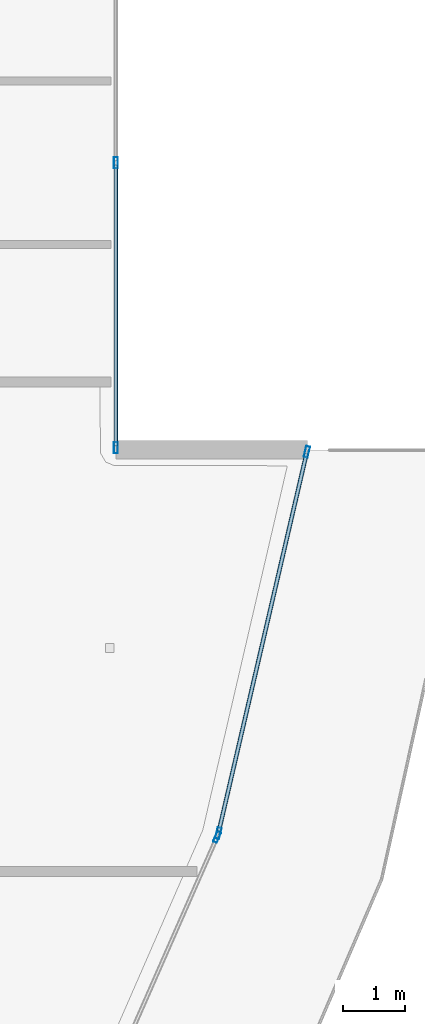
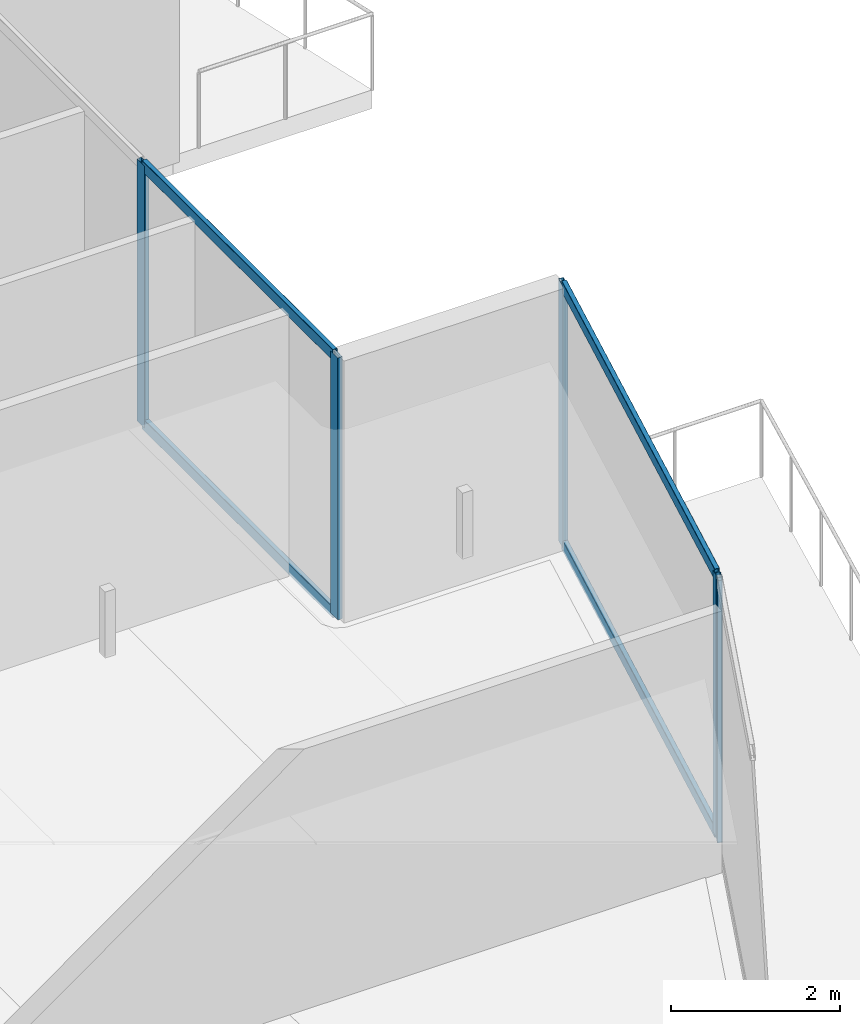
# One storey, part 12 of 37: 9 members, 3 elements without a shape of their own.
"""IFC4 building model written with IfcOpenShell, lengths in metres."""

from ifc_helpers import new_model, si_unit, direction, frame, origin, origin_2d, place, context, subcontext, project, spatial, hollow_rectangle, extrude, material, layer, layer_set, material_profile, profile_set, type_object, element, aggregate, save


model = new_model("IFC4")

# Units and contexts
model_context = context("Model", 3, precision=1e-05, world=origin(), true_north=direction((0.0, 1.0)))
body_context = subcontext(model_context, "Body", "Model", "MODEL_VIEW")
ifc_project = project(units=[si_unit("LENGTHUNIT", "METRE"), si_unit("AREAUNIT", "SQUARE_METRE"), si_unit("VOLUMEUNIT", "CUBIC_METRE"), si_unit("PLANEANGLEUNIT", "RADIAN"), si_unit("MASSUNIT", "GRAM", prefix="KILO")], contexts=[model_context])

# Site, building, storey
site_placement = place(None, origin())
site = spatial("IfcSite", under=ifc_project, at=site_placement, CompositionType="ELEMENT")
building_placement = place(site_placement, origin())
building = spatial("IfcBuilding", under=site, at=building_placement, Name="Qorvath Tower", CompositionType="ELEMENT")
storey_placement = place(building_placement, frame((0.0, 0.0, 184.800048828125)))
storey = spatial("IfcBuildingStorey", under=building, at=storey_placement, Name="L42", CompositionType="ELEMENT", Elevation=184.800048828125)

# Curtain wall, member
ifc_material_1 = material(Name="Anodised aluminium and triple low-E glass", Category="aluminium")
ifc_layer = layer(ifc_material_1, 0.179931640625)
ifc_layer_set = layer_set([ifc_layer], Name="CW-SYS-3")
curtain_wall_type = type_object("IfcCurtainWallType", Name="CW-SYS-3", PredefinedType="NOTDEFINED", material=ifc_layer_set)
curtain_wall_1_placement = place(storey_placement, origin())
curtain_wall_1 = element("IfcCurtainWall", 1, at=curtain_wall_1_placement, inside=storey, type_object=curtain_wall_type, Name="Curtain Wall CW-3 CW-T-L42-6.1", PredefinedType="NOTDEFINED")
ifc_material_2 = material(Name="Anodised aluminium 6063-T6", Category="aluminium")
ifc_material_profile_1 = material_profile(ifc_material_2, hollow_rectangle(XDim=0.06494140625, YDim=0.179931640625, WallThickness=0.00341796875, InnerFilletRadius=0.00341796875, OuterFilletRadius=0.007080078125, at=origin_2d()), Name="CWM 180x65")
ifc_profile_set_1 = profile_set([ifc_material_profile_1], Name="Anodised aluminium 6063-T6")
member_type_1 = type_object("IfcMemberType", Name="CWM-180", PredefinedType="MULLION", material=ifc_profile_set_1)
member_1_placement = place(storey_placement, frame((0.78271484375, -10.8056640625, 0.0), z_axis=(0.0, 0.0, 1.0), x_axis=(-0.915549117046, 0.402206183786, 0.0)))
member_1 = element("IfcMember", 2, at=member_1_placement, type_object=member_type_1, Name="CW-3 mullion 2", PredefinedType="MULLION", context=body_context, shape_type="SweptSolid", body=[
    extrude(hollow_rectangle(XDim=0.06494140625, YDim=0.179931640625, WallThickness=0.00341796875, InnerFilletRadius=0.00341796875, OuterFilletRadius=0.007080078125, at=origin_2d()), origin(), (0.0, 0.0, 1.0), 3.780029296875),
])
aggregate(curtain_wall_1, [member_1])

# Curtain wall, members
curtain_wall_2_placement = place(storey_placement, origin())
curtain_wall_2 = element("IfcCurtainWall", 3, at=curtain_wall_2_placement, inside=storey, type_object=curtain_wall_type, Name="Curtain Wall CW-3 CW-T-L42-7.1", PredefinedType="NOTDEFINED")
member_2_placement = place(storey_placement, frame((0.80322265625, -10.744140625, 0.0), z_axis=(0.0, 0.0, 1.0), x_axis=(-0.974111283532, 0.226069032147, 0.0)))
member_2 = element("IfcMember", 4, at=member_2_placement, type_object=member_type_1, Name="CW-3 mullion 1", PredefinedType="MULLION", context=body_context, shape_type="SweptSolid", body=[
    extrude(hollow_rectangle(XDim=0.06494140625, YDim=0.179931640625, WallThickness=0.00341796875, InnerFilletRadius=0.00341796875, OuterFilletRadius=0.007080078125, at=origin_2d()), origin(), (0.0, 0.0, 1.0), 3.780029296875),
])
member_3_placement = place(storey_placement, frame((2.2216796875, -4.632568359375, 0.0), z_axis=(0.0, 0.0, 1.0), x_axis=(-0.974111283532, 0.226069032147, 0.0)))
member_3 = element("IfcMember", 5, at=member_3_placement, type_object=member_type_1, Name="CW-3 mullion 2", PredefinedType="MULLION", context=body_context, shape_type="SweptSolid", body=[
    extrude(hollow_rectangle(XDim=0.06494140625, YDim=0.179931640625, WallThickness=0.00341796875, InnerFilletRadius=0.00341796875, OuterFilletRadius=0.007080078125, at=origin_2d()), origin(), (0.0, 0.0, 1.0), 3.780029296875),
])

curtain_wall_3_placement = place(storey_placement, origin())
curtain_wall_3 = element("IfcCurtainWall", 6, at=curtain_wall_3_placement, inside=storey, type_object=curtain_wall_type, Name="Curtain Wall CW-3 CW-T-L42-9.1", PredefinedType="NOTDEFINED")
member_4_placement = place(storey_placement, frame((-0.83837890625, -4.568359375, 0.0), z_axis=(0.0, 0.0, 1.0), x_axis=(-1.0, 0.0, 0.0)))
member_4 = element("IfcMember", 7, at=member_4_placement, type_object=member_type_1, Name="CW-3 mullion 1", PredefinedType="MULLION", context=body_context, shape_type="SweptSolid", body=[
    extrude(hollow_rectangle(XDim=0.06494140625, YDim=0.179931640625, WallThickness=0.00341796875, InnerFilletRadius=0.00341796875, OuterFilletRadius=0.007080078125, at=origin_2d()), origin(), (0.0, 0.0, 1.0), 3.780029296875),
])
member_5_placement = place(storey_placement, frame((-0.83837890625, 0.0, 0.0), z_axis=(0.0, 0.0, 1.0), x_axis=(-1.0, 0.0, 0.0)))
member_5 = element("IfcMember", 8, at=member_5_placement, type_object=member_type_1, Name="CW-3 mullion 2", PredefinedType="MULLION", context=body_context, shape_type="SweptSolid", body=[
    extrude(hollow_rectangle(XDim=0.06494140625, YDim=0.179931640625, WallThickness=0.00341796875, InnerFilletRadius=0.00341796875, OuterFilletRadius=0.007080078125, at=origin_2d()), origin(), (0.0, 0.0, 1.0), 3.780029296875),
])

# Member
ifc_material_3 = material(Name="Anodised aluminium 6063-T6", Category="aluminium")
ifc_material_profile_2 = material_profile(ifc_material_3, hollow_rectangle(XDim=0.06494140625, YDim=0.159912109375, WallThickness=0.00341796875, InnerFilletRadius=0.00341796875, OuterFilletRadius=0.007080078125, at=origin_2d()), Name="CWT 160x65")
ifc_profile_set_2 = profile_set([ifc_material_profile_2], Name="Anodised aluminium 6063-T6")
member_type_2 = type_object("IfcMemberType", Name="CWT-160", PredefinedType="USERDEFINED", material=ifc_profile_set_2)
member_6_placement = place(storey_placement, frame((0.810546875, -10.712646484375, 0.032470703125), z_axis=(0.226079741242, 0.974108798133, 0.0), x_axis=(-0.974108798133, 0.226079741242, 0.0)))
member_6 = element("IfcMember", 9, at=member_6_placement, type_object=member_type_2, Name="CW-3 transom 1.1", ObjectType="TRANSOM", PredefinedType="USERDEFINED", context=body_context, shape_type="SweptSolid", body=[
    extrude(hollow_rectangle(XDim=0.06494140625, YDim=0.159912109375, WallThickness=0.00341796875, InnerFilletRadius=0.00341796875, OuterFilletRadius=0.007080078125, at=origin_2d()), origin(), (0.0, 0.0, 1.0), 6.20947265625),
])

member_7_placement = place(storey_placement, frame((0.810546875, -10.712646484375, 3.74755859375), z_axis=(0.226079741242, 0.974108798133, 0.0), x_axis=(-0.974108798133, 0.226079741242, 0.0)))
member_7 = element("IfcMember", 10, at=member_7_placement, type_object=member_type_2, Name="CW-3 transom 1.2", ObjectType="TRANSOM", PredefinedType="USERDEFINED", context=body_context, shape_type="SweptSolid", body=[
    extrude(hollow_rectangle(XDim=0.06494140625, YDim=0.159912109375, WallThickness=0.00341796875, InnerFilletRadius=0.00341796875, OuterFilletRadius=0.007080078125, at=origin_2d()), origin(), (0.0, 0.0, 1.0), 6.20947265625),
])

aggregate(curtain_wall_2, [member_2, member_3, member_6, member_7])

member_8_placement = place(storey_placement, frame((-0.83837890625, -4.535888671875, 0.032470703125), z_axis=(0.0, 1.0, 0.0), x_axis=(-1.0, 0.0, 0.0)))
member_8 = element("IfcMember", 11, at=member_8_placement, type_object=member_type_2, Name="CW-3 transom 1.1", ObjectType="TRANSOM", PredefinedType="USERDEFINED", context=body_context, shape_type="SweptSolid", body=[
    extrude(hollow_rectangle(XDim=0.06494140625, YDim=0.159912109375, WallThickness=0.00341796875, InnerFilletRadius=0.00341796875, OuterFilletRadius=0.007080078125, at=origin_2d()), origin(), (0.0, 0.0, 1.0), 4.50341796875),
])

member_9_placement = place(storey_placement, frame((-0.83837890625, -4.535888671875, 3.74755859375), z_axis=(0.0, 1.0, 0.0), x_axis=(-1.0, 0.0, 0.0)))
member_9 = element("IfcMember", 12, at=member_9_placement, type_object=member_type_2, Name="CW-3 transom 1.2", ObjectType="TRANSOM", PredefinedType="USERDEFINED", context=body_context, shape_type="SweptSolid", body=[
    extrude(hollow_rectangle(XDim=0.06494140625, YDim=0.159912109375, WallThickness=0.00341796875, InnerFilletRadius=0.00341796875, OuterFilletRadius=0.007080078125, at=origin_2d()), origin(), (0.0, 0.0, 1.0), 4.50341796875),
])

aggregate(curtain_wall_3, [member_4, member_5, member_8, member_9])

save(model, "model.ifc")
